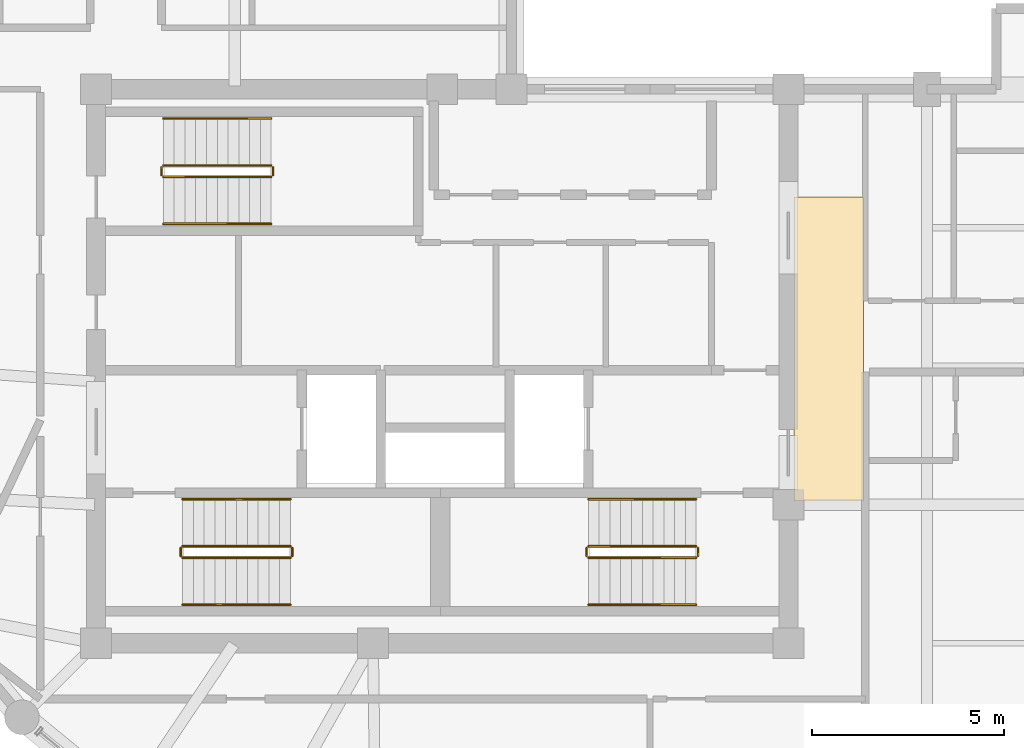
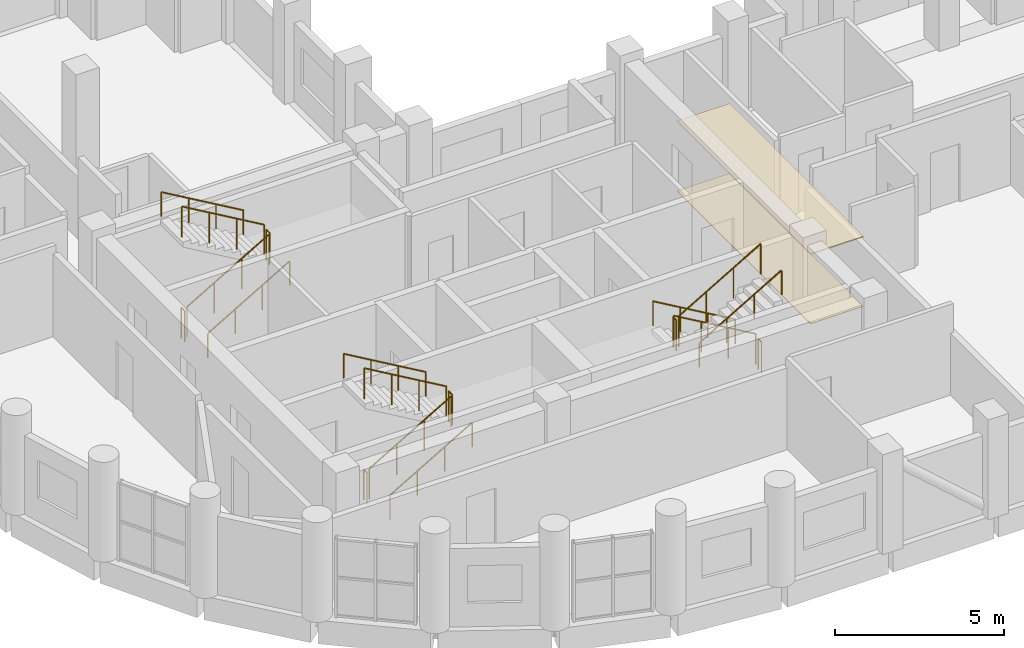
# One storey, part 11 of 11: 18 railings, 2 coverings.
"""IFC4 building model written with IfcOpenShell, lengths in metres."""

from ifc_helpers import new_model, si_unit, direction, frame, origin, origin_2d, place, context, subcontext, project, spatial, polyline, circle, outline, extrude, material, layer, layer_set, type_object, element, save


model = new_model("IFC4")

# Units and contexts
model_context = context("Model", 3, precision=1e-05, world=origin(), true_north=direction((0.0, 1.0)))
body_context = subcontext(model_context, "Body", "Model", "MODEL_VIEW")
ifc_project = project(units=[si_unit("LENGTHUNIT", "METRE"), si_unit("AREAUNIT", "SQUARE_METRE"), si_unit("VOLUMEUNIT", "CUBIC_METRE"), si_unit("PLANEANGLEUNIT", "RADIAN"), si_unit("MASSUNIT", "GRAM", prefix="KILO")], contexts=[model_context])

# Site, building, storey
site_placement = place(None, origin())
site = spatial("IfcSite", under=ifc_project, at=site_placement, CompositionType="ELEMENT")
building_placement = place(site_placement, origin())
building = spatial("IfcBuilding", under=site, at=building_placement, Name="Solnavia Interchange Tower", CompositionType="ELEMENT")
storey_placement = place(building_placement, frame((0.0, 0.0, 217.39990234375)))
storey = spatial("IfcBuildingStorey", under=building, at=storey_placement, Name="L54", CompositionType="ELEMENT", Elevation=217.39990234375)

# Coverings
ifc_material_1 = material(Name="Perforated Mineral-Fibre & Gypsum Ceiling", Category="gypsum")
ifc_layer_1 = layer(ifc_material_1, 0.0400390625)
ifc_layer_set_1 = layer_set([ifc_layer_1], Name="Perforated Mineral-Fibre & Gypsum Ceiling")
covering_type_1 = type_object("IfcCoveringType", Name="Covering-Ceiling-Acoustic40", PredefinedType="CEILING", material=ifc_layer_set_1)
covering_1_placement = place(storey_placement, frame((0.0, 0.0, 2.5)))
element("IfcCovering", 1, at=covering_1_placement, inside=storey, type_object=covering_type_1, Name="CLG-L54-01 Circulation suspended acoustic ceiling", PredefinedType="CEILING", context=body_context, shape_type="SweptSolid", body=[
    extrude(outline(polyline([(32.550048828125, 14.5), (34.35009765625, 14.5), (34.35009765625, 22.39990234375), (32.550048828125, 22.39990234375), (32.550048828125, 14.5)])), origin(), (0.0, 0.0, 1.0), 0.0400390625),
])
ifc_material_2 = material(Name="Engineered European Oak Flooring", Category="wood")
ifc_layer_2 = layer(ifc_material_2, 0.02001953125)
ifc_layer_set_2 = layer_set([ifc_layer_2], Name="Engineered European Oak Flooring")
covering_type_2 = type_object("IfcCoveringType", Name="Covering-Flooring-Timber20", PredefinedType="FLOORING", material=ifc_layer_set_2)
covering_2_placement = place(storey_placement, origin())
element("IfcCovering", 2, at=covering_2_placement, inside=storey, type_object=covering_type_2, Name="FLR-L54-01 Circulation floor finish", PredefinedType="FLOORING", context=body_context, shape_type="SweptSolid", body=[
    extrude(outline(polyline([(32.550048828125, 14.5), (34.35009765625, 14.5), (34.35009765625, 22.39990234375), (32.550048828125, 22.39990234375), (32.550048828125, 14.5)])), origin(), (0.0, 0.0, 1.0), 0.02001953125),
])

# Railings
ifc_material_3 = material(Name="Painted Steel Balustrade", Category="steel")
railing_type_1 = type_object("IfcRailingType", Name="Railing-StairGuard-1100", PredefinedType="GUARDRAIL", material=ifc_material_3)
railing_1_placement = place(storey_placement, frame((16.64990234375, 13.02001953125, 0.163818359375)))
element("IfcRailing", 3, at=railing_1_placement, inside=storey, type_object=railing_type_1, Name="L54 ST-1 stair guard 1", PredefinedType="GUARDRAIL", context=body_context, shape_type="SweptSolid", body=[
    extrude(circle(Radius=0.02392578125, at=origin_2d()), frame((0.0, 0.0, 1.09619140625), z_axis=(0.863393664356, 0.0, 0.504530851732), x_axis=(0.0, 1.0, 0.0)), (0.0, 0.0, 1.0), 3.2431640625),
    extrude(circle(Radius=0.02099609375, at=origin_2d()), origin(), (0.0, 0.0, 1.0), 1.072021484375),
    extrude(circle(Radius=0.02099609375, at=origin_2d()), frame((0.933349609375, 0.0, 0.54541015625)), (0.0, 0.0, 1.0), 1.072021484375),
    extrude(circle(Radius=0.02099609375, at=origin_2d()), frame((1.86669921875, 0.0, 1.0908203125)), (0.0, 0.0, 1.0), 1.072021484375),
    extrude(circle(Radius=0.02099609375, at=origin_2d()), frame((2.800048828125, 0.0, 1.63623046875)), (0.0, 0.0, 1.0), 1.072021484375),
])
railing_2_placement = place(storey_placement, frame((19.5, 13.070068359375, 1.800048828125)))
element("IfcRailing", 4, at=railing_2_placement, inside=storey, type_object=railing_type_1, Name="L54 ST-1 stair guard 2", PredefinedType="GUARDRAIL", context=body_context, shape_type="SweptSolid", body=[
    extrude(circle(Radius=0.02392578125, at=origin_2d()), frame((0.0, 0.0, 1.09619140625), z_axis=(0.0, 1.0, 0.0), x_axis=(-1.0, 0.0, 0.0)), (0.0, 0.0, 1.0), 0.199951171875),
    extrude(circle(Radius=0.02099609375, at=origin_2d()), origin(), (0.0, 0.0, 1.0), 1.072021484375),
    extrude(circle(Radius=0.02099609375, at=origin_2d()), frame((0.0, 0.199951171875, 0.0)), (0.0, 0.0, 1.0), 1.072021484375),
])
railing_3_placement = place(storey_placement, frame((19.449951171875, 13.320068359375, 1.963623046875)))
element("IfcRailing", 5, at=railing_3_placement, inside=storey, type_object=railing_type_1, Name="L54 ST-1 stair guard 3", PredefinedType="GUARDRAIL", context=body_context, shape_type="SweptSolid", body=[
    extrude(circle(Radius=0.02392578125, at=origin_2d()), frame((0.0, 0.0, 1.09619140625), z_axis=(-0.863360870873, 0.0, 0.504586966384), x_axis=(0.0, -1.0, 0.0)), (0.0, 0.0, 1.0), 3.2431640625),
    extrude(circle(Radius=0.02099609375, at=origin_2d()), origin(), (0.0, 0.0, 1.0), 1.072021484375),
    extrude(circle(Radius=0.02099609375, at=origin_2d()), frame((-0.933349609375, 0.0, 0.54541015625)), (0.0, 0.0, 1.0), 1.072021484375),
    extrude(circle(Radius=0.02099609375, at=origin_2d()), frame((-1.86669921875, 0.0, 1.091064453125)), (0.0, 0.0, 1.0), 1.072021484375),
    extrude(circle(Radius=0.02099609375, at=origin_2d()), frame((-2.800048828125, 0.0, 1.636474609375)), (0.0, 0.0, 1.0), 1.072021484375),
])
railing_4_placement = place(storey_placement, frame((16.60009765625, 13.070068359375, 0.0)))
element("IfcRailing", 6, at=railing_4_placement, inside=storey, type_object=railing_type_1, Name="L54 ST-1 stair guard 4", PredefinedType="GUARDRAIL", context=body_context, shape_type="SweptSolid", body=[
    extrude(circle(Radius=0.02392578125, at=origin_2d()), frame((0.0, 0.0, 1.09619140625), z_axis=(0.0, 1.0, 0.0), x_axis=(-1.0, 0.0, 0.0)), (0.0, 0.0, 1.0), 0.199951171875),
    extrude(circle(Radius=0.02099609375, at=origin_2d()), origin(), (0.0, 0.0, 1.0), 1.072021484375),
    extrude(circle(Radius=0.02099609375, at=origin_2d()), frame((0.0, 0.199951171875, 0.0)), (0.0, 0.0, 1.0), 1.072021484375),
])
railing_5_placement = place(storey_placement, frame((30.0, 13.320068359375, 0.163818359375)))
element("IfcRailing", 7, at=railing_5_placement, inside=storey, type_object=railing_type_1, Name="L54 ST-2 stair guard 1", PredefinedType="GUARDRAIL", context=body_context, shape_type="SweptSolid", body=[
    extrude(circle(Radius=0.02392578125, at=origin_2d()), frame((0.0, 0.0, 1.09619140625), z_axis=(-0.863393664356, 0.0, 0.504530851732), x_axis=(0.0, -1.0, 0.0)), (0.0, 0.0, 1.0), 3.2431640625),
    extrude(circle(Radius=0.02099609375, at=origin_2d()), origin(), (0.0, 0.0, 1.0), 1.072021484375),
    extrude(circle(Radius=0.02099609375, at=origin_2d()), frame((-0.933349609375, 0.0, 0.54541015625)), (0.0, 0.0, 1.0), 1.072021484375),
    extrude(circle(Radius=0.02099609375, at=origin_2d()), frame((-1.86669921875, 0.0, 1.0908203125)), (0.0, 0.0, 1.0), 1.072021484375),
    extrude(circle(Radius=0.02099609375, at=origin_2d()), frame((-2.800048828125, 0.0, 1.63623046875)), (0.0, 0.0, 1.0), 1.072021484375),
])
railing_6_placement = place(storey_placement, frame((27.14990234375, 13.27001953125, 1.800048828125)))
element("IfcRailing", 8, at=railing_6_placement, inside=storey, type_object=railing_type_1, Name="L54 ST-2 stair guard 2", PredefinedType="GUARDRAIL", context=body_context, shape_type="SweptSolid", body=[
    extrude(circle(Radius=0.02392578125, at=origin_2d()), frame((0.0, 0.0, 1.09619140625), z_axis=(0.0, -1.0, 0.0), x_axis=(1.0, 0.0, 0.0)), (0.0, 0.0, 1.0), 0.199951171875),
    extrude(circle(Radius=0.02099609375, at=origin_2d()), origin(), (0.0, 0.0, 1.0), 1.072021484375),
    extrude(circle(Radius=0.02099609375, at=origin_2d()), frame((0.0, -0.199951171875, 0.0)), (0.0, 0.0, 1.0), 1.072021484375),
])
railing_7_placement = place(storey_placement, frame((27.199951171875, 13.02001953125, 1.963623046875)))
element("IfcRailing", 9, at=railing_7_placement, inside=storey, type_object=railing_type_1, Name="L54 ST-2 stair guard 3", PredefinedType="GUARDRAIL", context=body_context, shape_type="SweptSolid", body=[
    extrude(circle(Radius=0.02392578125, at=origin_2d()), frame((0.0, 0.0, 1.09619140625), z_axis=(0.863360870873, 0.0, 0.504586966384), x_axis=(0.0, 1.0, 0.0)), (0.0, 0.0, 1.0), 3.2431640625),
    extrude(circle(Radius=0.02099609375, at=origin_2d()), origin(), (0.0, 0.0, 1.0), 1.072021484375),
    extrude(circle(Radius=0.02099609375, at=origin_2d()), frame((0.933349609375, 0.0, 0.54541015625)), (0.0, 0.0, 1.0), 1.072021484375),
    extrude(circle(Radius=0.02099609375, at=origin_2d()), frame((1.86669921875, 0.0, 1.091064453125)), (0.0, 0.0, 1.0), 1.072021484375),
    extrude(circle(Radius=0.02099609375, at=origin_2d()), frame((2.800048828125, 0.0, 1.636474609375)), (0.0, 0.0, 1.0), 1.072021484375),
])
railing_8_placement = place(storey_placement, frame((30.050048828125, 13.27001953125, 0.0)))
element("IfcRailing", 10, at=railing_8_placement, inside=storey, type_object=railing_type_1, Name="L54 ST-2 stair guard 4", PredefinedType="GUARDRAIL", context=body_context, shape_type="SweptSolid", body=[
    extrude(circle(Radius=0.02392578125, at=origin_2d()), frame((0.0, 0.0, 1.09619140625), z_axis=(0.0, -1.0, 0.0), x_axis=(1.0, 0.0, 0.0)), (0.0, 0.0, 1.0), 0.199951171875),
    extrude(circle(Radius=0.02099609375, at=origin_2d()), origin(), (0.0, 0.0, 1.0), 1.072021484375),
    extrude(circle(Radius=0.02099609375, at=origin_2d()), frame((0.0, -0.199951171875, 0.0)), (0.0, 0.0, 1.0), 1.072021484375),
])
railing_9_placement = place(storey_placement, frame((16.14990234375, 22.919921875, 0.163818359375)))
element("IfcRailing", 11, at=railing_9_placement, inside=storey, type_object=railing_type_1, Name="L54 ST-3 stair guard 1", PredefinedType="GUARDRAIL", context=body_context, shape_type="SweptSolid", body=[
    extrude(circle(Radius=0.02392578125, at=origin_2d()), frame((0.0, 0.0, 1.09619140625), z_axis=(0.863393664356, 0.0, 0.504530851732), x_axis=(0.0, 1.0, 0.0)), (0.0, 0.0, 1.0), 3.2431640625),
    extrude(circle(Radius=0.02099609375, at=origin_2d()), origin(), (0.0, 0.0, 1.0), 1.072021484375),
    extrude(circle(Radius=0.02099609375, at=origin_2d()), frame((0.933349609375, 0.0, 0.54541015625)), (0.0, 0.0, 1.0), 1.072021484375),
    extrude(circle(Radius=0.02099609375, at=origin_2d()), frame((1.86669921875, 0.0, 1.0908203125)), (0.0, 0.0, 1.0), 1.072021484375),
    extrude(circle(Radius=0.02099609375, at=origin_2d()), frame((2.800048828125, 0.0, 1.63623046875)), (0.0, 0.0, 1.0), 1.072021484375),
])
railing_10_placement = place(storey_placement, frame((19.0, 22.969970703125, 1.800048828125)))
element("IfcRailing", 12, at=railing_10_placement, inside=storey, type_object=railing_type_1, Name="L54 ST-3 stair guard 2", PredefinedType="GUARDRAIL", context=body_context, shape_type="SweptSolid", body=[
    extrude(circle(Radius=0.02392578125, at=origin_2d()), frame((0.0, 0.0, 1.09619140625), z_axis=(0.0, 1.0, 0.0), x_axis=(-1.0, 0.0, 0.0)), (0.0, 0.0, 1.0), 0.199951171875),
    extrude(circle(Radius=0.02099609375, at=origin_2d()), origin(), (0.0, 0.0, 1.0), 1.072021484375),
    extrude(circle(Radius=0.02099609375, at=origin_2d()), frame((0.0, 0.199951171875, 0.0)), (0.0, 0.0, 1.0), 1.072021484375),
])
railing_11_placement = place(storey_placement, frame((18.949951171875, 23.219970703125, 1.963623046875)))
element("IfcRailing", 13, at=railing_11_placement, inside=storey, type_object=railing_type_1, Name="L54 ST-3 stair guard 3", PredefinedType="GUARDRAIL", context=body_context, shape_type="SweptSolid", body=[
    extrude(circle(Radius=0.02392578125, at=origin_2d()), frame((0.0, 0.0, 1.09619140625), z_axis=(-0.863360870873, 0.0, 0.504586966384), x_axis=(0.0, -1.0, 0.0)), (0.0, 0.0, 1.0), 3.2431640625),
    extrude(circle(Radius=0.02099609375, at=origin_2d()), origin(), (0.0, 0.0, 1.0), 1.072021484375),
    extrude(circle(Radius=0.02099609375, at=origin_2d()), frame((-0.933349609375, 0.0, 0.54541015625)), (0.0, 0.0, 1.0), 1.072021484375),
    extrude(circle(Radius=0.02099609375, at=origin_2d()), frame((-1.86669921875, 0.0, 1.091064453125)), (0.0, 0.0, 1.0), 1.072021484375),
    extrude(circle(Radius=0.02099609375, at=origin_2d()), frame((-2.800048828125, 0.0, 1.636474609375)), (0.0, 0.0, 1.0), 1.072021484375),
])
railing_12_placement = place(storey_placement, frame((16.10009765625, 22.969970703125, 0.0)))
element("IfcRailing", 14, at=railing_12_placement, inside=storey, type_object=railing_type_1, Name="L54 ST-3 stair guard 4", PredefinedType="GUARDRAIL", context=body_context, shape_type="SweptSolid", body=[
    extrude(circle(Radius=0.02392578125, at=origin_2d()), frame((0.0, 0.0, 1.09619140625), z_axis=(0.0, 1.0, 0.0), x_axis=(-1.0, 0.0, 0.0)), (0.0, 0.0, 1.0), 0.199951171875),
    extrude(circle(Radius=0.02099609375, at=origin_2d()), origin(), (0.0, 0.0, 1.0), 1.072021484375),
    extrude(circle(Radius=0.02099609375, at=origin_2d()), frame((0.0, 0.199951171875, 0.0)), (0.0, 0.0, 1.0), 1.072021484375),
])
ifc_material_4 = material(Name="Brushed Stainless Steel", Category="steel")
railing_type_2 = type_object("IfcRailingType", Name="Railing-StairHandrail-900", PredefinedType="HANDRAIL", material=ifc_material_4)
railing_13_placement = place(storey_placement, frame((16.64990234375, 11.800048828125, 0.163818359375)))
element("IfcRailing", 15, at=railing_13_placement, inside=storey, type_object=railing_type_2, Name="L54 ST-1 stair handrail 1", PredefinedType="HANDRAIL", context=body_context, shape_type="SweptSolid", body=[
    extrude(circle(Radius=0.02392578125, at=origin_2d()), frame((0.0, 0.0, 0.8759765625), z_axis=(0.863393664356, 0.0, 0.504530851732), x_axis=(0.0, 1.0, 0.0)), (0.0, 0.0, 1.0), 3.2431640625),
    extrude(circle(Radius=0.02099609375, at=origin_2d()), origin(), (0.0, 0.0, 1.0), 0.851806640625),
    extrude(circle(Radius=0.02099609375, at=origin_2d()), frame((0.933349609375, 0.0, 0.54541015625)), (0.0, 0.0, 1.0), 0.851806640625),
    extrude(circle(Radius=0.02099609375, at=origin_2d()), frame((1.86669921875, 0.0, 1.0908203125)), (0.0, 0.0, 1.0), 0.851806640625),
    extrude(circle(Radius=0.02099609375, at=origin_2d()), frame((2.800048828125, 0.0, 1.63623046875)), (0.0, 0.0, 1.0), 0.851806640625),
])
railing_14_placement = place(storey_placement, frame((19.449951171875, 14.5400390625, 1.963623046875)))
element("IfcRailing", 16, at=railing_14_placement, inside=storey, type_object=railing_type_2, Name="L54 ST-1 stair handrail 2", PredefinedType="HANDRAIL", context=body_context, shape_type="SweptSolid", body=[
    extrude(circle(Radius=0.02392578125, at=origin_2d()), frame((0.0, 0.0, 0.8759765625), z_axis=(-0.863360870873, 0.0, 0.504586966384), x_axis=(0.0, -1.0, 0.0)), (0.0, 0.0, 1.0), 3.2431640625),
    extrude(circle(Radius=0.02099609375, at=origin_2d()), origin(), (0.0, 0.0, 1.0), 0.851806640625),
    extrude(circle(Radius=0.02099609375, at=origin_2d()), frame((-0.933349609375, 0.0, 0.54541015625)), (0.0, 0.0, 1.0), 0.851806640625),
    extrude(circle(Radius=0.02099609375, at=origin_2d()), frame((-1.86669921875, 0.0, 1.091064453125)), (0.0, 0.0, 1.0), 0.851806640625),
    extrude(circle(Radius=0.02099609375, at=origin_2d()), frame((-2.800048828125, 0.0, 1.636474609375)), (0.0, 0.0, 1.0), 0.851806640625),
])
railing_15_placement = place(storey_placement, frame((30.0, 14.5400390625, 0.163818359375)))
element("IfcRailing", 17, at=railing_15_placement, inside=storey, type_object=railing_type_2, Name="L54 ST-2 stair handrail 1", PredefinedType="HANDRAIL", context=body_context, shape_type="SweptSolid", body=[
    extrude(circle(Radius=0.02392578125, at=origin_2d()), frame((0.0, 0.0, 0.8759765625), z_axis=(-0.863393664356, 0.0, 0.504530851732), x_axis=(0.0, -1.0, 0.0)), (0.0, 0.0, 1.0), 3.2431640625),
    extrude(circle(Radius=0.02099609375, at=origin_2d()), origin(), (0.0, 0.0, 1.0), 0.851806640625),
    extrude(circle(Radius=0.02099609375, at=origin_2d()), frame((-0.933349609375, 0.0, 0.54541015625)), (0.0, 0.0, 1.0), 0.851806640625),
    extrude(circle(Radius=0.02099609375, at=origin_2d()), frame((-1.86669921875, 0.0, 1.0908203125)), (0.0, 0.0, 1.0), 0.851806640625),
    extrude(circle(Radius=0.02099609375, at=origin_2d()), frame((-2.800048828125, 0.0, 1.63623046875)), (0.0, 0.0, 1.0), 0.851806640625),
])
railing_16_placement = place(storey_placement, frame((27.199951171875, 11.800048828125, 1.963623046875)))
element("IfcRailing", 18, at=railing_16_placement, inside=storey, type_object=railing_type_2, Name="L54 ST-2 stair handrail 2", PredefinedType="HANDRAIL", context=body_context, shape_type="SweptSolid", body=[
    extrude(circle(Radius=0.02392578125, at=origin_2d()), frame((0.0, 0.0, 0.8759765625), z_axis=(0.863360870873, 0.0, 0.504586966384), x_axis=(0.0, 1.0, 0.0)), (0.0, 0.0, 1.0), 3.2431640625),
    extrude(circle(Radius=0.02099609375, at=origin_2d()), origin(), (0.0, 0.0, 1.0), 0.851806640625),
    extrude(circle(Radius=0.02099609375, at=origin_2d()), frame((0.933349609375, 0.0, 0.54541015625)), (0.0, 0.0, 1.0), 0.851806640625),
    extrude(circle(Radius=0.02099609375, at=origin_2d()), frame((1.86669921875, 0.0, 1.091064453125)), (0.0, 0.0, 1.0), 0.851806640625),
    extrude(circle(Radius=0.02099609375, at=origin_2d()), frame((2.800048828125, 0.0, 1.636474609375)), (0.0, 0.0, 1.0), 0.851806640625),
])
railing_17_placement = place(storey_placement, frame((16.14990234375, 21.699951171875, 0.163818359375)))
element("IfcRailing", 19, at=railing_17_placement, inside=storey, type_object=railing_type_2, Name="L54 ST-3 stair handrail 1", PredefinedType="HANDRAIL", context=body_context, shape_type="SweptSolid", body=[
    extrude(circle(Radius=0.02392578125, at=origin_2d()), frame((0.0, 0.0, 0.8759765625), z_axis=(0.863393664356, 0.0, 0.504530851732), x_axis=(0.0, 1.0, 0.0)), (0.0, 0.0, 1.0), 3.2431640625),
    extrude(circle(Radius=0.02099609375, at=origin_2d()), origin(), (0.0, 0.0, 1.0), 0.851806640625),
    extrude(circle(Radius=0.02099609375, at=origin_2d()), frame((0.933349609375, 0.0, 0.54541015625)), (0.0, 0.0, 1.0), 0.851806640625),
    extrude(circle(Radius=0.02099609375, at=origin_2d()), frame((1.86669921875, 0.0, 1.0908203125)), (0.0, 0.0, 1.0), 0.851806640625),
    extrude(circle(Radius=0.02099609375, at=origin_2d()), frame((2.800048828125, 0.0, 1.63623046875)), (0.0, 0.0, 1.0), 0.851806640625),
])
railing_18_placement = place(storey_placement, frame((18.949951171875, 24.43994140625, 1.963623046875)))
element("IfcRailing", 20, at=railing_18_placement, inside=storey, type_object=railing_type_2, Name="L54 ST-3 stair handrail 2", PredefinedType="HANDRAIL", context=body_context, shape_type="SweptSolid", body=[
    extrude(circle(Radius=0.02392578125, at=origin_2d()), frame((0.0, 0.0, 0.8759765625), z_axis=(-0.863360870873, 0.0, 0.504586966384), x_axis=(0.0, -1.0, 0.0)), (0.0, 0.0, 1.0), 3.2431640625),
    extrude(circle(Radius=0.02099609375, at=origin_2d()), origin(), (0.0, 0.0, 1.0), 0.851806640625),
    extrude(circle(Radius=0.02099609375, at=origin_2d()), frame((-0.933349609375, 0.0, 0.54541015625)), (0.0, 0.0, 1.0), 0.851806640625),
    extrude(circle(Radius=0.02099609375, at=origin_2d()), frame((-1.86669921875, 0.0, 1.091064453125)), (0.0, 0.0, 1.0), 0.851806640625),
    extrude(circle(Radius=0.02099609375, at=origin_2d()), frame((-2.800048828125, 0.0, 1.636474609375)), (0.0, 0.0, 1.0), 0.851806640625),
])

save(model, "model.ifc")
